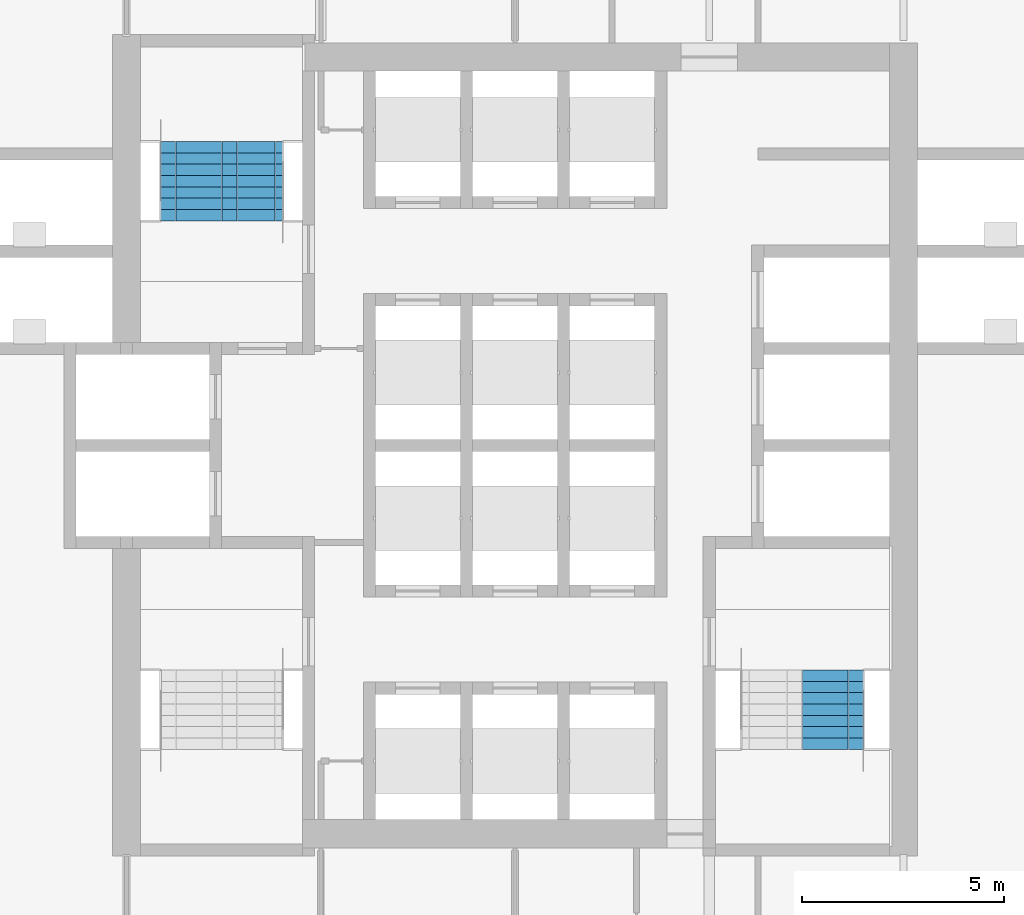
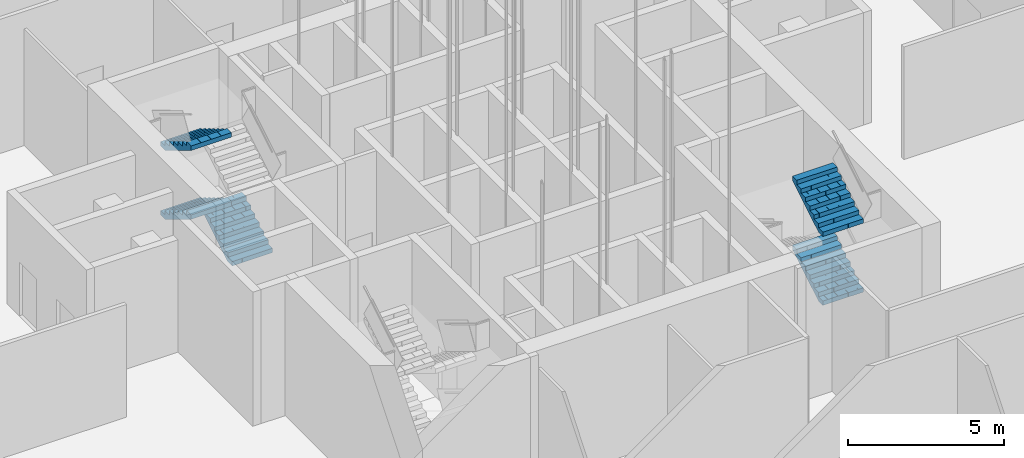
# One storey, part 13 of 42: 5 stair flights, 2 elements without a shape of their own.
"""IFC4 building model written with IfcOpenShell, lengths in metres."""

from ifc_helpers import new_model, si_unit, direction, frame, origin, place, context, subcontext, project, spatial, polyline, outline, extrude, material, type_object, element, aggregate, save


model = new_model("IFC4")

# Units and contexts
model_context = context("Model", 3, precision=1e-05, world=origin(), true_north=direction((0.0, 1.0)))
body_context = subcontext(model_context, "Body", "Model", "MODEL_VIEW")
ifc_project = project(units=[si_unit("LENGTHUNIT", "METRE"), si_unit("AREAUNIT", "SQUARE_METRE"), si_unit("VOLUMEUNIT", "CUBIC_METRE"), si_unit("PLANEANGLEUNIT", "RADIAN"), si_unit("MASSUNIT", "GRAM", prefix="KILO")], contexts=[model_context])

# Site, building, storey
site_placement = place(None, origin())
site = spatial("IfcSite", under=ifc_project, at=site_placement, CompositionType="ELEMENT")
building_placement = place(site_placement, origin())
building = spatial("IfcBuilding", under=site, at=building_placement, Name="Kolab Exchange Tower", CompositionType="ELEMENT")
storey_placement = place(building_placement, frame((0.0, 0.0, 133.39990234375)))
storey = spatial("IfcBuildingStorey", under=building, at=storey_placement, Name="L26", CompositionType="ELEMENT", Elevation=133.39990234375)

# Stair, stair flights
ifc_material = material(Name="Concrete C50/60", Category="concrete")
stair_type_1 = type_object("IfcStairType", Name="STAIR ST1 RISER 168.8", PredefinedType="DOUBLE_RETURN_STAIR", material=ifc_material)
stair_1_placement = place(storey_placement, origin())
stair_1 = element("IfcStair", 1, at=stair_1_placement, inside=storey, type_object=stair_type_1, Name="Stair 1", PredefinedType="DOUBLE_RETURN_STAIR")
stair_flight_type = type_object("IfcStairFlightType", Name="STAIR FLIGHT 1500 RISER 168.8", PredefinedType="STRAIGHT", material=ifc_material)
stair_flight_1_placement = place(storey_placement, frame((-6.489990234375, 5.550048828125, 0.0), z_axis=(0.0, 0.0, 1.0), x_axis=(0.0, 1.0, 0.0)))
stair_flight_1 = element("IfcStairFlight", 2, at=stair_flight_1_placement, type_object=stair_flight_type, Name="ST1 flight 1", NumberOfRisers=8, NumberOfTreads=7, PredefinedType="STRAIGHT", RiserHeight=0.16875, TreadLength=0.28, context=body_context, shape_type="SweptSolid", body=[
    extrude(outline(polyline([(0.0, 0.0), (0.0, 0.168701171875), (0.280029296875, 0.168701171875), (0.280029296875, 0.33740234375), (0.56005859375, 0.33740234375), (0.56005859375, 0.50634765625), (0.840087890625, 0.50634765625), (0.840087890625, 0.675048828125), (1.1201171875, 0.675048828125), (1.1201171875, 0.84375), (1.39990234375, 0.84375), (1.39990234375, 1.012451171875), (1.679931640625, 1.012451171875), (1.679931640625, 1.18115234375), (1.9599609375, 1.18115234375), (1.9599609375, 1.35009765625), (1.9599609375, 1.00634765625), (0.29052734375, 0.0), (0.0, 0.0)])), frame((0.0, 0.75, 0.0), z_axis=(0.0, -1.0, 0.0), x_axis=(1.0, 0.0, 0.0)), (0.0, 0.0, 1.0), 0.185791015625),
    extrude(outline(polyline([(0.0, 0.0), (0.0, 0.168701171875), (0.280029296875, 0.168701171875), (0.280029296875, 0.33740234375), (0.56005859375, 0.33740234375), (0.56005859375, 0.50634765625), (0.840087890625, 0.50634765625), (0.840087890625, 0.675048828125), (1.1201171875, 0.675048828125), (1.1201171875, 0.84375), (1.39990234375, 0.84375), (1.39990234375, 1.012451171875), (1.679931640625, 1.012451171875), (1.679931640625, 1.18115234375), (1.9599609375, 1.18115234375), (1.9599609375, 1.35009765625), (1.9599609375, 1.00634765625), (0.29052734375, 0.0), (0.0, 0.0)])), frame((0.0, 0.562255859375, 0.0), z_axis=(0.0, -1.0, 0.0), x_axis=(1.0, 0.0, 0.0)), (0.0, 0.0, 1.0), 0.185791015625),
    extrude(outline(polyline([(0.0, 0.0), (0.0, 0.168701171875), (0.280029296875, 0.168701171875), (0.280029296875, 0.33740234375), (0.56005859375, 0.33740234375), (0.56005859375, 0.50634765625), (0.840087890625, 0.50634765625), (0.840087890625, 0.675048828125), (1.1201171875, 0.675048828125), (1.1201171875, 0.84375), (1.39990234375, 0.84375), (1.39990234375, 1.012451171875), (1.679931640625, 1.012451171875), (1.679931640625, 1.18115234375), (1.9599609375, 1.18115234375), (1.9599609375, 1.35009765625), (1.9599609375, 1.00634765625), (0.29052734375, 0.0), (0.0, 0.0)])), frame((0.0, 0.37451171875, 0.0), z_axis=(0.0, -1.0, 0.0), x_axis=(1.0, 0.0, 0.0)), (0.0, 0.0, 1.0), 0.185791015625),
    extrude(outline(polyline([(0.0, 0.0), (0.0, 0.168701171875), (0.280029296875, 0.168701171875), (0.280029296875, 0.33740234375), (0.56005859375, 0.33740234375), (0.56005859375, 0.50634765625), (0.840087890625, 0.50634765625), (0.840087890625, 0.675048828125), (1.1201171875, 0.675048828125), (1.1201171875, 0.84375), (1.39990234375, 0.84375), (1.39990234375, 1.012451171875), (1.679931640625, 1.012451171875), (1.679931640625, 1.18115234375), (1.9599609375, 1.18115234375), (1.9599609375, 1.35009765625), (1.9599609375, 1.00634765625), (0.29052734375, 0.0), (0.0, 0.0)])), frame((0.0, 0.186767578125, 0.0), z_axis=(0.0, -1.0, 0.0), x_axis=(1.0, 0.0, 0.0)), (0.0, 0.0, 1.0), 0.185791015625),
    extrude(outline(polyline([(0.0, 0.0), (0.0, 0.168701171875), (0.280029296875, 0.168701171875), (0.280029296875, 0.33740234375), (0.56005859375, 0.33740234375), (0.56005859375, 0.50634765625), (0.840087890625, 0.50634765625), (0.840087890625, 0.675048828125), (1.1201171875, 0.675048828125), (1.1201171875, 0.84375), (1.39990234375, 0.84375), (1.39990234375, 1.012451171875), (1.679931640625, 1.012451171875), (1.679931640625, 1.18115234375), (1.9599609375, 1.18115234375), (1.9599609375, 1.35009765625), (1.9599609375, 1.00634765625), (0.29052734375, 0.0), (0.0, 0.0)])), frame((0.0, -0.0009765625, 0.0), z_axis=(0.0, -1.0, 0.0), x_axis=(1.0, 0.0, 0.0)), (0.0, 0.0, 1.0), 0.185791015625),
    extrude(outline(polyline([(0.0, 0.0), (0.0, 0.168701171875), (0.280029296875, 0.168701171875), (0.280029296875, 0.33740234375), (0.56005859375, 0.33740234375), (0.56005859375, 0.50634765625), (0.840087890625, 0.50634765625), (0.840087890625, 0.675048828125), (1.1201171875, 0.675048828125), (1.1201171875, 0.84375), (1.39990234375, 0.84375), (1.39990234375, 1.012451171875), (1.679931640625, 1.012451171875), (1.679931640625, 1.18115234375), (1.9599609375, 1.18115234375), (1.9599609375, 1.35009765625), (1.9599609375, 1.00634765625), (0.29052734375, 0.0), (0.0, 0.0)])), frame((0.0, -0.188720703125, 0.0), z_axis=(0.0, -1.0, 0.0), x_axis=(1.0, 0.0, 0.0)), (0.0, 0.0, 1.0), 0.185791015625),
    extrude(outline(polyline([(0.0, 0.0), (0.0, 0.168701171875), (0.280029296875, 0.168701171875), (0.280029296875, 0.33740234375), (0.56005859375, 0.33740234375), (0.56005859375, 0.50634765625), (0.840087890625, 0.50634765625), (0.840087890625, 0.675048828125), (1.1201171875, 0.675048828125), (1.1201171875, 0.84375), (1.39990234375, 0.84375), (1.39990234375, 1.012451171875), (1.679931640625, 1.012451171875), (1.679931640625, 1.18115234375), (1.9599609375, 1.18115234375), (1.9599609375, 1.35009765625), (1.9599609375, 1.00634765625), (0.29052734375, 0.0), (0.0, 0.0)])), frame((0.0, -0.37646484375, 0.0), z_axis=(0.0, -1.0, 0.0), x_axis=(1.0, 0.0, 0.0)), (0.0, 0.0, 1.0), 0.185791015625),
    extrude(outline(polyline([(0.0, 0.0), (0.0, 0.168701171875), (0.280029296875, 0.168701171875), (0.280029296875, 0.33740234375), (0.56005859375, 0.33740234375), (0.56005859375, 0.50634765625), (0.840087890625, 0.50634765625), (0.840087890625, 0.675048828125), (1.1201171875, 0.675048828125), (1.1201171875, 0.84375), (1.39990234375, 0.84375), (1.39990234375, 1.012451171875), (1.679931640625, 1.012451171875), (1.679931640625, 1.18115234375), (1.9599609375, 1.18115234375), (1.9599609375, 1.35009765625), (1.9599609375, 1.00634765625), (0.29052734375, 0.0), (0.0, 0.0)])), frame((0.0, -0.564208984375, 0.0), z_axis=(0.0, -1.0, 0.0), x_axis=(1.0, 0.0, 0.0)), (0.0, 0.0, 1.0), 0.185791015625),
])
stair_flight_2_placement = place(storey_placement, frame((-8.010009765625, 7.510009765625, 1.35009765625), z_axis=(0.0, 0.0, 1.0), x_axis=(0.0, -1.0, 0.0)))
stair_flight_2 = element("IfcStairFlight", 3, at=stair_flight_2_placement, type_object=stair_flight_type, Name="ST1 flight 2", NumberOfRisers=8, NumberOfTreads=7, PredefinedType="STRAIGHT", RiserHeight=0.16875, TreadLength=0.28, context=body_context, shape_type="SweptSolid", body=[
    extrude(outline(polyline([(0.0, 0.0), (0.0, 0.168701171875), (0.280029296875, 0.168701171875), (0.280029296875, 0.33740234375), (0.56005859375, 0.33740234375), (0.56005859375, 0.50634765625), (0.840087890625, 0.50634765625), (0.840087890625, 0.675048828125), (1.1201171875, 0.675048828125), (1.1201171875, 0.84375), (1.39990234375, 0.84375), (1.39990234375, 1.012451171875), (1.679931640625, 1.012451171875), (1.679931640625, 1.18115234375), (1.9599609375, 1.18115234375), (1.9599609375, 1.35009765625), (1.9599609375, 1.00634765625), (0.29052734375, 0.0), (0.0, 0.0)])), frame((0.0, 0.75, 0.0), z_axis=(0.0, -1.0, 0.0), x_axis=(1.0, 0.0, 0.0)), (0.0, 0.0, 1.0), 0.185791015625),
    extrude(outline(polyline([(0.0, 0.0), (0.0, 0.168701171875), (0.280029296875, 0.168701171875), (0.280029296875, 0.33740234375), (0.56005859375, 0.33740234375), (0.56005859375, 0.50634765625), (0.840087890625, 0.50634765625), (0.840087890625, 0.675048828125), (1.1201171875, 0.675048828125), (1.1201171875, 0.84375), (1.39990234375, 0.84375), (1.39990234375, 1.012451171875), (1.679931640625, 1.012451171875), (1.679931640625, 1.18115234375), (1.9599609375, 1.18115234375), (1.9599609375, 1.35009765625), (1.9599609375, 1.00634765625), (0.29052734375, 0.0), (0.0, 0.0)])), frame((0.0, 0.562255859375, 0.0), z_axis=(0.0, -1.0, 0.0), x_axis=(1.0, 0.0, 0.0)), (0.0, 0.0, 1.0), 0.185791015625),
    extrude(outline(polyline([(0.0, 0.0), (0.0, 0.168701171875), (0.280029296875, 0.168701171875), (0.280029296875, 0.33740234375), (0.56005859375, 0.33740234375), (0.56005859375, 0.50634765625), (0.840087890625, 0.50634765625), (0.840087890625, 0.675048828125), (1.1201171875, 0.675048828125), (1.1201171875, 0.84375), (1.39990234375, 0.84375), (1.39990234375, 1.012451171875), (1.679931640625, 1.012451171875), (1.679931640625, 1.18115234375), (1.9599609375, 1.18115234375), (1.9599609375, 1.35009765625), (1.9599609375, 1.00634765625), (0.29052734375, 0.0), (0.0, 0.0)])), frame((0.0, 0.37451171875, 0.0), z_axis=(0.0, -1.0, 0.0), x_axis=(1.0, 0.0, 0.0)), (0.0, 0.0, 1.0), 0.185791015625),
    extrude(outline(polyline([(0.0, 0.0), (0.0, 0.168701171875), (0.280029296875, 0.168701171875), (0.280029296875, 0.33740234375), (0.56005859375, 0.33740234375), (0.56005859375, 0.50634765625), (0.840087890625, 0.50634765625), (0.840087890625, 0.675048828125), (1.1201171875, 0.675048828125), (1.1201171875, 0.84375), (1.39990234375, 0.84375), (1.39990234375, 1.012451171875), (1.679931640625, 1.012451171875), (1.679931640625, 1.18115234375), (1.9599609375, 1.18115234375), (1.9599609375, 1.35009765625), (1.9599609375, 1.00634765625), (0.29052734375, 0.0), (0.0, 0.0)])), frame((0.0, 0.186767578125, 0.0), z_axis=(0.0, -1.0, 0.0), x_axis=(1.0, 0.0, 0.0)), (0.0, 0.0, 1.0), 0.185791015625),
    extrude(outline(polyline([(0.0, 0.0), (0.0, 0.168701171875), (0.280029296875, 0.168701171875), (0.280029296875, 0.33740234375), (0.56005859375, 0.33740234375), (0.56005859375, 0.50634765625), (0.840087890625, 0.50634765625), (0.840087890625, 0.675048828125), (1.1201171875, 0.675048828125), (1.1201171875, 0.84375), (1.39990234375, 0.84375), (1.39990234375, 1.012451171875), (1.679931640625, 1.012451171875), (1.679931640625, 1.18115234375), (1.9599609375, 1.18115234375), (1.9599609375, 1.35009765625), (1.9599609375, 1.00634765625), (0.29052734375, 0.0), (0.0, 0.0)])), frame((0.0, -0.0009765625, 0.0), z_axis=(0.0, -1.0, 0.0), x_axis=(1.0, 0.0, 0.0)), (0.0, 0.0, 1.0), 0.185791015625),
    extrude(outline(polyline([(0.0, 0.0), (0.0, 0.168701171875), (0.280029296875, 0.168701171875), (0.280029296875, 0.33740234375), (0.56005859375, 0.33740234375), (0.56005859375, 0.50634765625), (0.840087890625, 0.50634765625), (0.840087890625, 0.675048828125), (1.1201171875, 0.675048828125), (1.1201171875, 0.84375), (1.39990234375, 0.84375), (1.39990234375, 1.012451171875), (1.679931640625, 1.012451171875), (1.679931640625, 1.18115234375), (1.9599609375, 1.18115234375), (1.9599609375, 1.35009765625), (1.9599609375, 1.00634765625), (0.29052734375, 0.0), (0.0, 0.0)])), frame((0.0, -0.188720703125, 0.0), z_axis=(0.0, -1.0, 0.0), x_axis=(1.0, 0.0, 0.0)), (0.0, 0.0, 1.0), 0.185791015625),
    extrude(outline(polyline([(0.0, 0.0), (0.0, 0.168701171875), (0.280029296875, 0.168701171875), (0.280029296875, 0.33740234375), (0.56005859375, 0.33740234375), (0.56005859375, 0.50634765625), (0.840087890625, 0.50634765625), (0.840087890625, 0.675048828125), (1.1201171875, 0.675048828125), (1.1201171875, 0.84375), (1.39990234375, 0.84375), (1.39990234375, 1.012451171875), (1.679931640625, 1.012451171875), (1.679931640625, 1.18115234375), (1.9599609375, 1.18115234375), (1.9599609375, 1.35009765625), (1.9599609375, 1.00634765625), (0.29052734375, 0.0), (0.0, 0.0)])), frame((0.0, -0.37646484375, 0.0), z_axis=(0.0, -1.0, 0.0), x_axis=(1.0, 0.0, 0.0)), (0.0, 0.0, 1.0), 0.185791015625),
    extrude(outline(polyline([(0.0, 0.0), (0.0, 0.168701171875), (0.280029296875, 0.168701171875), (0.280029296875, 0.33740234375), (0.56005859375, 0.33740234375), (0.56005859375, 0.50634765625), (0.840087890625, 0.50634765625), (0.840087890625, 0.675048828125), (1.1201171875, 0.675048828125), (1.1201171875, 0.84375), (1.39990234375, 0.84375), (1.39990234375, 1.012451171875), (1.679931640625, 1.012451171875), (1.679931640625, 1.18115234375), (1.9599609375, 1.18115234375), (1.9599609375, 1.35009765625), (1.9599609375, 1.00634765625), (0.29052734375, 0.0), (0.0, 0.0)])), frame((0.0, -0.564208984375, 0.0), z_axis=(0.0, -1.0, 0.0), x_axis=(1.0, 0.0, 0.0)), (0.0, 0.0, 1.0), 0.185791015625),
])
stair_flight_3_placement = place(storey_placement, frame((-8.010009765625, 7.510009765625, 4.050048828125), z_axis=(0.0, 0.0, 1.0), x_axis=(0.0, -1.0, 0.0)))
stair_flight_3 = element("IfcStairFlight", 4, at=stair_flight_3_placement, type_object=stair_flight_type, Name="ST1 flight 4", NumberOfRisers=8, NumberOfTreads=7, PredefinedType="STRAIGHT", RiserHeight=0.16875, TreadLength=0.28, context=body_context, shape_type="SweptSolid", body=[
    extrude(outline(polyline([(0.0, 0.0), (0.0, 0.168701171875), (0.280029296875, 0.168701171875), (0.280029296875, 0.33740234375), (0.56005859375, 0.33740234375), (0.56005859375, 0.50634765625), (0.840087890625, 0.50634765625), (0.840087890625, 0.675048828125), (1.1201171875, 0.675048828125), (1.1201171875, 0.84375), (1.39990234375, 0.84375), (1.39990234375, 1.012451171875), (1.679931640625, 1.012451171875), (1.679931640625, 1.18115234375), (1.9599609375, 1.18115234375), (1.9599609375, 1.35009765625), (1.9599609375, 1.00634765625), (0.29052734375, 0.0), (0.0, 0.0)])), frame((0.0, 0.75, 0.0), z_axis=(0.0, -1.0, 0.0), x_axis=(1.0, 0.0, 0.0)), (0.0, 0.0, 1.0), 0.185791015625),
    extrude(outline(polyline([(0.0, 0.0), (0.0, 0.168701171875), (0.280029296875, 0.168701171875), (0.280029296875, 0.33740234375), (0.56005859375, 0.33740234375), (0.56005859375, 0.50634765625), (0.840087890625, 0.50634765625), (0.840087890625, 0.675048828125), (1.1201171875, 0.675048828125), (1.1201171875, 0.84375), (1.39990234375, 0.84375), (1.39990234375, 1.012451171875), (1.679931640625, 1.012451171875), (1.679931640625, 1.18115234375), (1.9599609375, 1.18115234375), (1.9599609375, 1.35009765625), (1.9599609375, 1.00634765625), (0.29052734375, 0.0), (0.0, 0.0)])), frame((0.0, 0.562255859375, 0.0), z_axis=(0.0, -1.0, 0.0), x_axis=(1.0, 0.0, 0.0)), (0.0, 0.0, 1.0), 0.185791015625),
    extrude(outline(polyline([(0.0, 0.0), (0.0, 0.168701171875), (0.280029296875, 0.168701171875), (0.280029296875, 0.33740234375), (0.56005859375, 0.33740234375), (0.56005859375, 0.50634765625), (0.840087890625, 0.50634765625), (0.840087890625, 0.675048828125), (1.1201171875, 0.675048828125), (1.1201171875, 0.84375), (1.39990234375, 0.84375), (1.39990234375, 1.012451171875), (1.679931640625, 1.012451171875), (1.679931640625, 1.18115234375), (1.9599609375, 1.18115234375), (1.9599609375, 1.35009765625), (1.9599609375, 1.00634765625), (0.29052734375, 0.0), (0.0, 0.0)])), frame((0.0, 0.37451171875, 0.0), z_axis=(0.0, -1.0, 0.0), x_axis=(1.0, 0.0, 0.0)), (0.0, 0.0, 1.0), 0.185791015625),
    extrude(outline(polyline([(0.0, 0.0), (0.0, 0.168701171875), (0.280029296875, 0.168701171875), (0.280029296875, 0.33740234375), (0.56005859375, 0.33740234375), (0.56005859375, 0.50634765625), (0.840087890625, 0.50634765625), (0.840087890625, 0.675048828125), (1.1201171875, 0.675048828125), (1.1201171875, 0.84375), (1.39990234375, 0.84375), (1.39990234375, 1.012451171875), (1.679931640625, 1.012451171875), (1.679931640625, 1.18115234375), (1.9599609375, 1.18115234375), (1.9599609375, 1.35009765625), (1.9599609375, 1.00634765625), (0.29052734375, 0.0), (0.0, 0.0)])), frame((0.0, 0.186767578125, 0.0), z_axis=(0.0, -1.0, 0.0), x_axis=(1.0, 0.0, 0.0)), (0.0, 0.0, 1.0), 0.185791015625),
    extrude(outline(polyline([(0.0, 0.0), (0.0, 0.168701171875), (0.280029296875, 0.168701171875), (0.280029296875, 0.33740234375), (0.56005859375, 0.33740234375), (0.56005859375, 0.50634765625), (0.840087890625, 0.50634765625), (0.840087890625, 0.675048828125), (1.1201171875, 0.675048828125), (1.1201171875, 0.84375), (1.39990234375, 0.84375), (1.39990234375, 1.012451171875), (1.679931640625, 1.012451171875), (1.679931640625, 1.18115234375), (1.9599609375, 1.18115234375), (1.9599609375, 1.35009765625), (1.9599609375, 1.00634765625), (0.29052734375, 0.0), (0.0, 0.0)])), frame((0.0, -0.0009765625, 0.0), z_axis=(0.0, -1.0, 0.0), x_axis=(1.0, 0.0, 0.0)), (0.0, 0.0, 1.0), 0.185791015625),
    extrude(outline(polyline([(0.0, 0.0), (0.0, 0.168701171875), (0.280029296875, 0.168701171875), (0.280029296875, 0.33740234375), (0.56005859375, 0.33740234375), (0.56005859375, 0.50634765625), (0.840087890625, 0.50634765625), (0.840087890625, 0.675048828125), (1.1201171875, 0.675048828125), (1.1201171875, 0.84375), (1.39990234375, 0.84375), (1.39990234375, 1.012451171875), (1.679931640625, 1.012451171875), (1.679931640625, 1.18115234375), (1.9599609375, 1.18115234375), (1.9599609375, 1.35009765625), (1.9599609375, 1.00634765625), (0.29052734375, 0.0), (0.0, 0.0)])), frame((0.0, -0.188720703125, 0.0), z_axis=(0.0, -1.0, 0.0), x_axis=(1.0, 0.0, 0.0)), (0.0, 0.0, 1.0), 0.185791015625),
    extrude(outline(polyline([(0.0, 0.0), (0.0, 0.168701171875), (0.280029296875, 0.168701171875), (0.280029296875, 0.33740234375), (0.56005859375, 0.33740234375), (0.56005859375, 0.50634765625), (0.840087890625, 0.50634765625), (0.840087890625, 0.675048828125), (1.1201171875, 0.675048828125), (1.1201171875, 0.84375), (1.39990234375, 0.84375), (1.39990234375, 1.012451171875), (1.679931640625, 1.012451171875), (1.679931640625, 1.18115234375), (1.9599609375, 1.18115234375), (1.9599609375, 1.35009765625), (1.9599609375, 1.00634765625), (0.29052734375, 0.0), (0.0, 0.0)])), frame((0.0, -0.37646484375, 0.0), z_axis=(0.0, -1.0, 0.0), x_axis=(1.0, 0.0, 0.0)), (0.0, 0.0, 1.0), 0.185791015625),
    extrude(outline(polyline([(0.0, 0.0), (0.0, 0.168701171875), (0.280029296875, 0.168701171875), (0.280029296875, 0.33740234375), (0.56005859375, 0.33740234375), (0.56005859375, 0.50634765625), (0.840087890625, 0.50634765625), (0.840087890625, 0.675048828125), (1.1201171875, 0.675048828125), (1.1201171875, 0.84375), (1.39990234375, 0.84375), (1.39990234375, 1.012451171875), (1.679931640625, 1.012451171875), (1.679931640625, 1.18115234375), (1.9599609375, 1.18115234375), (1.9599609375, 1.35009765625), (1.9599609375, 1.00634765625), (0.29052734375, 0.0), (0.0, 0.0)])), frame((0.0, -0.564208984375, 0.0), z_axis=(0.0, -1.0, 0.0), x_axis=(1.0, 0.0, 0.0)), (0.0, 0.0, 1.0), 0.185791015625),
])
aggregate(stair_1, [stair_flight_1, stair_flight_2, stair_flight_3])

stair_type_2 = type_object("IfcStairType", Name="STAIR ST2 RISER 168.8", PredefinedType="DOUBLE_RETURN_STAIR", material=ifc_material)
stair_2_placement = place(storey_placement, origin())
stair_2 = element("IfcStair", 5, at=stair_2_placement, inside=storey, type_object=stair_type_2, Name="Stair 2", PredefinedType="DOUBLE_RETURN_STAIR")
stair_flight_4_placement = place(storey_placement, frame((7.860107421875, -7.510009765625, 1.35009765625), z_axis=(0.0, 0.0, 1.0), x_axis=(0.0, 1.0, 0.0)))
stair_flight_4 = element("IfcStairFlight", 6, at=stair_flight_4_placement, type_object=stair_flight_type, Name="ST2 flight 2", NumberOfRisers=8, NumberOfTreads=7, PredefinedType="STRAIGHT", RiserHeight=0.16875, TreadLength=0.28, context=body_context, shape_type="SweptSolid", body=[
    extrude(outline(polyline([(0.0, 0.0), (0.0, 0.168701171875), (0.280029296875, 0.168701171875), (0.280029296875, 0.33740234375), (0.56005859375, 0.33740234375), (0.56005859375, 0.50634765625), (0.840087890625, 0.50634765625), (0.840087890625, 0.675048828125), (1.1201171875, 0.675048828125), (1.1201171875, 0.84375), (1.39990234375, 0.84375), (1.39990234375, 1.012451171875), (1.679931640625, 1.012451171875), (1.679931640625, 1.18115234375), (1.9599609375, 1.18115234375), (1.9599609375, 1.35009765625), (1.9599609375, 1.00634765625), (0.29052734375, 0.0), (0.0, 0.0)])), frame((0.0, 0.75, 0.0), z_axis=(0.0, -1.0, 0.0), x_axis=(1.0, 0.0, 0.0)), (0.0, 0.0, 1.0), 0.185791015625),
    extrude(outline(polyline([(0.0, 0.0), (0.0, 0.168701171875), (0.280029296875, 0.168701171875), (0.280029296875, 0.33740234375), (0.56005859375, 0.33740234375), (0.56005859375, 0.50634765625), (0.840087890625, 0.50634765625), (0.840087890625, 0.675048828125), (1.1201171875, 0.675048828125), (1.1201171875, 0.84375), (1.39990234375, 0.84375), (1.39990234375, 1.012451171875), (1.679931640625, 1.012451171875), (1.679931640625, 1.18115234375), (1.9599609375, 1.18115234375), (1.9599609375, 1.35009765625), (1.9599609375, 1.00634765625), (0.29052734375, 0.0), (0.0, 0.0)])), frame((0.0, 0.562255859375, 0.0), z_axis=(0.0, -1.0, 0.0), x_axis=(1.0, 0.0, 0.0)), (0.0, 0.0, 1.0), 0.185791015625),
    extrude(outline(polyline([(0.0, 0.0), (0.0, 0.168701171875), (0.280029296875, 0.168701171875), (0.280029296875, 0.33740234375), (0.56005859375, 0.33740234375), (0.56005859375, 0.50634765625), (0.840087890625, 0.50634765625), (0.840087890625, 0.675048828125), (1.1201171875, 0.675048828125), (1.1201171875, 0.84375), (1.39990234375, 0.84375), (1.39990234375, 1.012451171875), (1.679931640625, 1.012451171875), (1.679931640625, 1.18115234375), (1.9599609375, 1.18115234375), (1.9599609375, 1.35009765625), (1.9599609375, 1.00634765625), (0.29052734375, 0.0), (0.0, 0.0)])), frame((0.0, 0.37451171875, 0.0), z_axis=(0.0, -1.0, 0.0), x_axis=(1.0, 0.0, 0.0)), (0.0, 0.0, 1.0), 0.185791015625),
    extrude(outline(polyline([(0.0, 0.0), (0.0, 0.168701171875), (0.280029296875, 0.168701171875), (0.280029296875, 0.33740234375), (0.56005859375, 0.33740234375), (0.56005859375, 0.50634765625), (0.840087890625, 0.50634765625), (0.840087890625, 0.675048828125), (1.1201171875, 0.675048828125), (1.1201171875, 0.84375), (1.39990234375, 0.84375), (1.39990234375, 1.012451171875), (1.679931640625, 1.012451171875), (1.679931640625, 1.18115234375), (1.9599609375, 1.18115234375), (1.9599609375, 1.35009765625), (1.9599609375, 1.00634765625), (0.29052734375, 0.0), (0.0, 0.0)])), frame((0.0, 0.186767578125, 0.0), z_axis=(0.0, -1.0, 0.0), x_axis=(1.0, 0.0, 0.0)), (0.0, 0.0, 1.0), 0.185791015625),
    extrude(outline(polyline([(0.0, 0.0), (0.0, 0.168701171875), (0.280029296875, 0.168701171875), (0.280029296875, 0.33740234375), (0.56005859375, 0.33740234375), (0.56005859375, 0.50634765625), (0.840087890625, 0.50634765625), (0.840087890625, 0.675048828125), (1.1201171875, 0.675048828125), (1.1201171875, 0.84375), (1.39990234375, 0.84375), (1.39990234375, 1.012451171875), (1.679931640625, 1.012451171875), (1.679931640625, 1.18115234375), (1.9599609375, 1.18115234375), (1.9599609375, 1.35009765625), (1.9599609375, 1.00634765625), (0.29052734375, 0.0), (0.0, 0.0)])), frame((0.0, -0.0009765625, 0.0), z_axis=(0.0, -1.0, 0.0), x_axis=(1.0, 0.0, 0.0)), (0.0, 0.0, 1.0), 0.185791015625),
    extrude(outline(polyline([(0.0, 0.0), (0.0, 0.168701171875), (0.280029296875, 0.168701171875), (0.280029296875, 0.33740234375), (0.56005859375, 0.33740234375), (0.56005859375, 0.50634765625), (0.840087890625, 0.50634765625), (0.840087890625, 0.675048828125), (1.1201171875, 0.675048828125), (1.1201171875, 0.84375), (1.39990234375, 0.84375), (1.39990234375, 1.012451171875), (1.679931640625, 1.012451171875), (1.679931640625, 1.18115234375), (1.9599609375, 1.18115234375), (1.9599609375, 1.35009765625), (1.9599609375, 1.00634765625), (0.29052734375, 0.0), (0.0, 0.0)])), frame((0.0, -0.188720703125, 0.0), z_axis=(0.0, -1.0, 0.0), x_axis=(1.0, 0.0, 0.0)), (0.0, 0.0, 1.0), 0.185791015625),
    extrude(outline(polyline([(0.0, 0.0), (0.0, 0.168701171875), (0.280029296875, 0.168701171875), (0.280029296875, 0.33740234375), (0.56005859375, 0.33740234375), (0.56005859375, 0.50634765625), (0.840087890625, 0.50634765625), (0.840087890625, 0.675048828125), (1.1201171875, 0.675048828125), (1.1201171875, 0.84375), (1.39990234375, 0.84375), (1.39990234375, 1.012451171875), (1.679931640625, 1.012451171875), (1.679931640625, 1.18115234375), (1.9599609375, 1.18115234375), (1.9599609375, 1.35009765625), (1.9599609375, 1.00634765625), (0.29052734375, 0.0), (0.0, 0.0)])), frame((0.0, -0.37646484375, 0.0), z_axis=(0.0, -1.0, 0.0), x_axis=(1.0, 0.0, 0.0)), (0.0, 0.0, 1.0), 0.185791015625),
    extrude(outline(polyline([(0.0, 0.0), (0.0, 0.168701171875), (0.280029296875, 0.168701171875), (0.280029296875, 0.33740234375), (0.56005859375, 0.33740234375), (0.56005859375, 0.50634765625), (0.840087890625, 0.50634765625), (0.840087890625, 0.675048828125), (1.1201171875, 0.675048828125), (1.1201171875, 0.84375), (1.39990234375, 0.84375), (1.39990234375, 1.012451171875), (1.679931640625, 1.012451171875), (1.679931640625, 1.18115234375), (1.9599609375, 1.18115234375), (1.9599609375, 1.35009765625), (1.9599609375, 1.00634765625), (0.29052734375, 0.0), (0.0, 0.0)])), frame((0.0, -0.564208984375, 0.0), z_axis=(0.0, -1.0, 0.0), x_axis=(1.0, 0.0, 0.0)), (0.0, 0.0, 1.0), 0.185791015625),
])
stair_flight_5_placement = place(storey_placement, frame((7.860107421875, -7.510009765625, 4.050048828125), z_axis=(0.0, 0.0, 1.0), x_axis=(0.0, 1.0, 0.0)))
stair_flight_5 = element("IfcStairFlight", 7, at=stair_flight_5_placement, type_object=stair_flight_type, Name="ST2 flight 4", NumberOfRisers=8, NumberOfTreads=7, PredefinedType="STRAIGHT", RiserHeight=0.16875, TreadLength=0.28, context=body_context, shape_type="SweptSolid", body=[
    extrude(outline(polyline([(0.0, 0.0), (0.0, 0.168701171875), (0.280029296875, 0.168701171875), (0.280029296875, 0.33740234375), (0.56005859375, 0.33740234375), (0.56005859375, 0.50634765625), (0.840087890625, 0.50634765625), (0.840087890625, 0.675048828125), (1.1201171875, 0.675048828125), (1.1201171875, 0.84375), (1.39990234375, 0.84375), (1.39990234375, 1.012451171875), (1.679931640625, 1.012451171875), (1.679931640625, 1.18115234375), (1.9599609375, 1.18115234375), (1.9599609375, 1.35009765625), (1.9599609375, 1.00634765625), (0.29052734375, 0.0), (0.0, 0.0)])), frame((0.0, 0.75, 0.0), z_axis=(0.0, -1.0, 0.0), x_axis=(1.0, 0.0, 0.0)), (0.0, 0.0, 1.0), 0.185791015625),
    extrude(outline(polyline([(0.0, 0.0), (0.0, 0.168701171875), (0.280029296875, 0.168701171875), (0.280029296875, 0.33740234375), (0.56005859375, 0.33740234375), (0.56005859375, 0.50634765625), (0.840087890625, 0.50634765625), (0.840087890625, 0.675048828125), (1.1201171875, 0.675048828125), (1.1201171875, 0.84375), (1.39990234375, 0.84375), (1.39990234375, 1.012451171875), (1.679931640625, 1.012451171875), (1.679931640625, 1.18115234375), (1.9599609375, 1.18115234375), (1.9599609375, 1.35009765625), (1.9599609375, 1.00634765625), (0.29052734375, 0.0), (0.0, 0.0)])), frame((0.0, 0.562255859375, 0.0), z_axis=(0.0, -1.0, 0.0), x_axis=(1.0, 0.0, 0.0)), (0.0, 0.0, 1.0), 0.185791015625),
    extrude(outline(polyline([(0.0, 0.0), (0.0, 0.168701171875), (0.280029296875, 0.168701171875), (0.280029296875, 0.33740234375), (0.56005859375, 0.33740234375), (0.56005859375, 0.50634765625), (0.840087890625, 0.50634765625), (0.840087890625, 0.675048828125), (1.1201171875, 0.675048828125), (1.1201171875, 0.84375), (1.39990234375, 0.84375), (1.39990234375, 1.012451171875), (1.679931640625, 1.012451171875), (1.679931640625, 1.18115234375), (1.9599609375, 1.18115234375), (1.9599609375, 1.35009765625), (1.9599609375, 1.00634765625), (0.29052734375, 0.0), (0.0, 0.0)])), frame((0.0, 0.37451171875, 0.0), z_axis=(0.0, -1.0, 0.0), x_axis=(1.0, 0.0, 0.0)), (0.0, 0.0, 1.0), 0.185791015625),
    extrude(outline(polyline([(0.0, 0.0), (0.0, 0.168701171875), (0.280029296875, 0.168701171875), (0.280029296875, 0.33740234375), (0.56005859375, 0.33740234375), (0.56005859375, 0.50634765625), (0.840087890625, 0.50634765625), (0.840087890625, 0.675048828125), (1.1201171875, 0.675048828125), (1.1201171875, 0.84375), (1.39990234375, 0.84375), (1.39990234375, 1.012451171875), (1.679931640625, 1.012451171875), (1.679931640625, 1.18115234375), (1.9599609375, 1.18115234375), (1.9599609375, 1.35009765625), (1.9599609375, 1.00634765625), (0.29052734375, 0.0), (0.0, 0.0)])), frame((0.0, 0.186767578125, 0.0), z_axis=(0.0, -1.0, 0.0), x_axis=(1.0, 0.0, 0.0)), (0.0, 0.0, 1.0), 0.185791015625),
    extrude(outline(polyline([(0.0, 0.0), (0.0, 0.168701171875), (0.280029296875, 0.168701171875), (0.280029296875, 0.33740234375), (0.56005859375, 0.33740234375), (0.56005859375, 0.50634765625), (0.840087890625, 0.50634765625), (0.840087890625, 0.675048828125), (1.1201171875, 0.675048828125), (1.1201171875, 0.84375), (1.39990234375, 0.84375), (1.39990234375, 1.012451171875), (1.679931640625, 1.012451171875), (1.679931640625, 1.18115234375), (1.9599609375, 1.18115234375), (1.9599609375, 1.35009765625), (1.9599609375, 1.00634765625), (0.29052734375, 0.0), (0.0, 0.0)])), frame((0.0, -0.0009765625, 0.0), z_axis=(0.0, -1.0, 0.0), x_axis=(1.0, 0.0, 0.0)), (0.0, 0.0, 1.0), 0.185791015625),
    extrude(outline(polyline([(0.0, 0.0), (0.0, 0.168701171875), (0.280029296875, 0.168701171875), (0.280029296875, 0.33740234375), (0.56005859375, 0.33740234375), (0.56005859375, 0.50634765625), (0.840087890625, 0.50634765625), (0.840087890625, 0.675048828125), (1.1201171875, 0.675048828125), (1.1201171875, 0.84375), (1.39990234375, 0.84375), (1.39990234375, 1.012451171875), (1.679931640625, 1.012451171875), (1.679931640625, 1.18115234375), (1.9599609375, 1.18115234375), (1.9599609375, 1.35009765625), (1.9599609375, 1.00634765625), (0.29052734375, 0.0), (0.0, 0.0)])), frame((0.0, -0.188720703125, 0.0), z_axis=(0.0, -1.0, 0.0), x_axis=(1.0, 0.0, 0.0)), (0.0, 0.0, 1.0), 0.185791015625),
    extrude(outline(polyline([(0.0, 0.0), (0.0, 0.168701171875), (0.280029296875, 0.168701171875), (0.280029296875, 0.33740234375), (0.56005859375, 0.33740234375), (0.56005859375, 0.50634765625), (0.840087890625, 0.50634765625), (0.840087890625, 0.675048828125), (1.1201171875, 0.675048828125), (1.1201171875, 0.84375), (1.39990234375, 0.84375), (1.39990234375, 1.012451171875), (1.679931640625, 1.012451171875), (1.679931640625, 1.18115234375), (1.9599609375, 1.18115234375), (1.9599609375, 1.35009765625), (1.9599609375, 1.00634765625), (0.29052734375, 0.0), (0.0, 0.0)])), frame((0.0, -0.37646484375, 0.0), z_axis=(0.0, -1.0, 0.0), x_axis=(1.0, 0.0, 0.0)), (0.0, 0.0, 1.0), 0.185791015625),
    extrude(outline(polyline([(0.0, 0.0), (0.0, 0.168701171875), (0.280029296875, 0.168701171875), (0.280029296875, 0.33740234375), (0.56005859375, 0.33740234375), (0.56005859375, 0.50634765625), (0.840087890625, 0.50634765625), (0.840087890625, 0.675048828125), (1.1201171875, 0.675048828125), (1.1201171875, 0.84375), (1.39990234375, 0.84375), (1.39990234375, 1.012451171875), (1.679931640625, 1.012451171875), (1.679931640625, 1.18115234375), (1.9599609375, 1.18115234375), (1.9599609375, 1.35009765625), (1.9599609375, 1.00634765625), (0.29052734375, 0.0), (0.0, 0.0)])), frame((0.0, -0.564208984375, 0.0), z_axis=(0.0, -1.0, 0.0), x_axis=(1.0, 0.0, 0.0)), (0.0, 0.0, 1.0), 0.185791015625),
])
aggregate(stair_2, [stair_flight_4, stair_flight_5])

save(model, "model.ifc")
